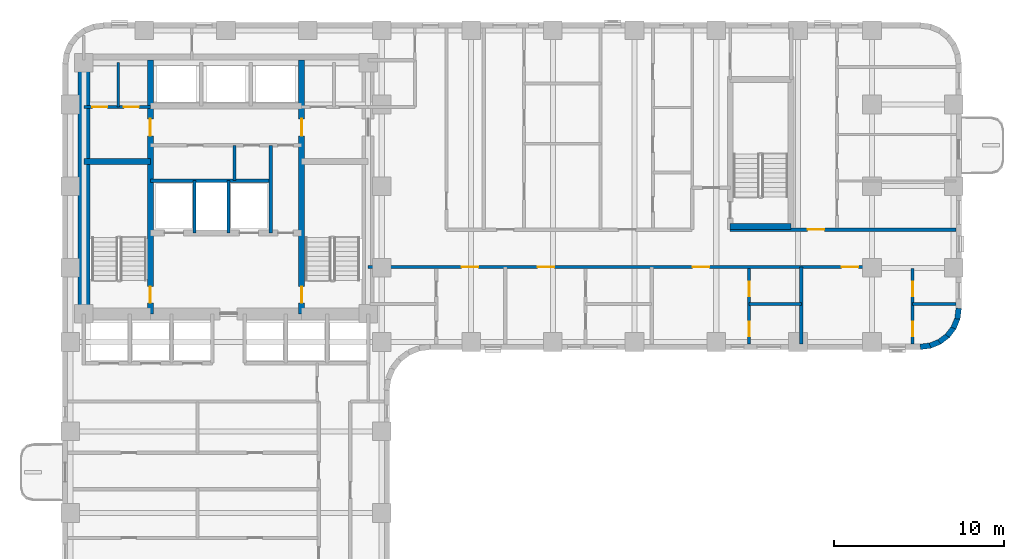
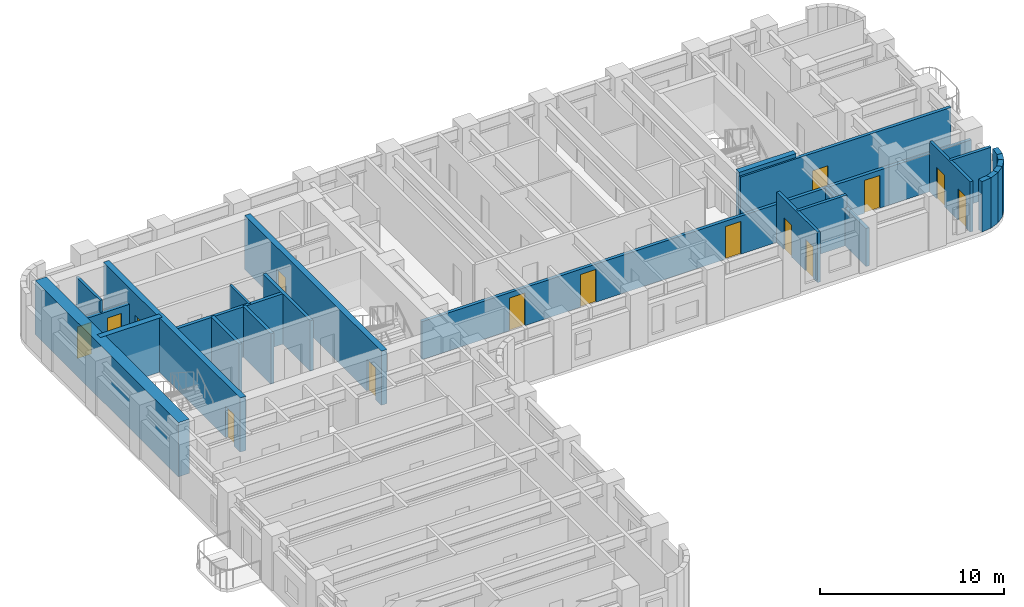
# One storey, part 5 of 11: 25 walls, 15 doors, 15 openings.
"""IFC4 building model written with IfcOpenShell, lengths in metres."""

import ifcopenshell
import ifcopenshell.guid

model = None  # the IFC model being written
_history = None  # IfcOwnerHistory: only IFC2X3 demands one
_inside = {}  # id of a spatial element -> (the spatial element, [elements in it])
_under = {}  # id of a project, library or spatial element -> (it, [spatial elements below it])
_declared = {}  # id of a project -> (the project, [libraries it declares])
_typed = {}  # id of a type object -> (the type object, [elements of that type])
_made_of = {}  # id of a material, layer set ... -> (it, [elements and type objects made of it])


def new_model(schema):
    """Start an empty IFC model of exactly this schema.

    Asked for "IFC4X3", IfcOpenShell would pick the latest addendum, in which some entities
    have other attributes; the version numbers below select the first issue.
    IFC2X3 requires an IfcOwnerHistory on every rooted entity: one is made here for all.
    """
    global model, _history
    if schema == "IFC4X3":
        model = ifcopenshell.file(schema_version=(4, 3, 0, 0))
    else:
        model = ifcopenshell.file(schema=schema)
    _inside.clear()
    _under.clear()
    _declared.clear()
    _typed.clear()
    _made_of.clear()
    _history = None
    if model.schema == "IFC2X3":
        org = make("IfcOrganization", Name="unknown")
        user = make(
            "IfcPersonAndOrganization",
            ThePerson=make("IfcPerson", FamilyName="unknown"),
            TheOrganization=org,
        )
        app = make(
            "IfcApplication",
            ApplicationDeveloper=org,
            Version="unknown",
            ApplicationFullName="unknown",
            ApplicationIdentifier="unknown",
        )
        _history = make(
            "IfcOwnerHistory",
            OwningUser=user,
            OwningApplication=app,
            ChangeAction="ADDED",
            CreationDate=0,
        )
    return model


def make(cls, **values):
    """One entity of the class cls with the attributes given. An attribute that is None is left unset."""
    return model.create_entity(
        cls, **{name: value for name, value in values.items() if value is not None}
    )


def rooted(cls, **values):
    """An entity with a GlobalId (a new one), such as an element, a storey or a relation."""
    return make(cls, GlobalId=ifcopenshell.guid.new(), OwnerHistory=_history, **values)


def si_unit(unit_type, name, prefix=None):
    """IfcSIUnit, for example si_unit("LENGTHUNIT", "METRE", prefix="MILLI")."""
    return make("IfcSIUnit", UnitType=unit_type, Prefix=prefix, Name=name)


def assignment(units):
    """IfcUnitAssignment: the units of a project."""
    return None if units is None else make("IfcUnitAssignment", Units=units)


def point(xyz):
    """IfcCartesianPoint."""
    return None if xyz is None else make("IfcCartesianPoint", Coordinates=xyz)


def direction(xyz):
    """IfcDirection."""
    return None if xyz is None else make("IfcDirection", DirectionRatios=xyz)


def frame(location, z_axis=None, x_axis=None):
    """IfcAxis2Placement3D, a coordinate frame: its origin and axes. An axis left out is left unset."""
    return make(
        "IfcAxis2Placement3D",
        Location=point(location),
        Axis=direction(z_axis),
        RefDirection=direction(x_axis),
    )


def frame_2d(location, x_axis=None):
    """IfcAxis2Placement2D, a coordinate frame in the plane: its origin and x axis."""
    return make(
        "IfcAxis2Placement2D", Location=point(location), RefDirection=direction(x_axis)
    )


def origin():
    """The frame at (0, 0, 0) with its axes left unset."""
    return frame((0.0, 0.0, 0.0))


def place(relative_to, where):
    """IfcLocalPlacement: puts the frame where relative to a parent placement (None: the world)."""
    return make(
        "IfcLocalPlacement", PlacementRelTo=relative_to, RelativePlacement=where
    )


def context(
    kind, dimensions, precision=None, world=None, true_north=None, identifier=None
):
    """IfcGeometricRepresentationContext, for example the 3D "Model" context."""
    return make(
        "IfcGeometricRepresentationContext",
        ContextIdentifier=identifier,
        ContextType=kind,
        CoordinateSpaceDimension=dimensions,
        Precision=precision,
        WorldCoordinateSystem=world,
        TrueNorth=true_north,
    )


def subcontext(parent, identifier, kind, view, scale=None):
    """IfcGeometricRepresentationSubContext, for example "Body" below "Model"."""
    return make(
        "IfcGeometricRepresentationSubContext",
        ContextIdentifier=identifier,
        ContextType=kind,
        ParentContext=parent,
        TargetScale=scale,
        TargetView=view,
    )


def project(units=None, contexts=None):
    """IfcProject with its units and contexts."""
    return rooted(
        "IfcProject",
        Name="project",
        RepresentationContexts=contexts,
        UnitsInContext=assignment(units),
    )


def spatial(cls, under=None, at=None, **own):
    """A site, building, storey or space (cls), placed at a placement, below another one or the project."""
    s = rooted(cls, ObjectPlacement=at, **own)
    if under is not None:
        _under.setdefault(under.id(), (under, []))[1].append(s)
    return s


def profile(cls, at=None, kind="AREA", **sizes):
    """A parametric profile (cls). Its sizes go by their IFC names, for example OverallWidth=200.0."""
    return make(cls, ProfileType=kind, Position=at, **sizes)


def rectangle(**sizes):
    """IfcRectangleProfileDef."""
    return profile("IfcRectangleProfileDef", **sizes)


def extrude(swept, where, along, depth):
    """IfcExtrudedAreaSolid: the profile swept, set in the frame where, extruded along a direction by depth."""
    return make(
        "IfcExtrudedAreaSolid",
        SweptArea=swept,
        Position=where,
        ExtrudedDirection=direction(along),
        Depth=depth,
    )


def shape(context_of_items, identifier, shape_type, items):
    """IfcShapeRepresentation: the items that make up one representation, for example the "Body"."""
    return make(
        "IfcShapeRepresentation",
        ContextOfItems=context_of_items,
        RepresentationIdentifier=identifier,
        RepresentationType=shape_type,
        Items=items,
    )


def material(Name=None, Category=None):
    """IfcMaterial."""
    return make("IfcMaterial", Name=Name, Category=Category)


def layer(
    of_material, thickness, ventilated=None, Name=None, Category=None, Priority=None
):
    """IfcMaterialLayer: one layer of a wall or slab, of a material (None: an air gap)."""
    return make(
        "IfcMaterialLayer",
        Material=of_material,
        LayerThickness=thickness,
        IsVentilated=ventilated,
        Name=Name,
        Category=Category,
        Priority=Priority,
    )


def layer_set(layers, Name=None):
    """IfcMaterialLayerSet."""
    return make("IfcMaterialLayerSet", MaterialLayers=layers, LayerSetName=Name)


def made_of(thing, what):
    """Note that an element or type object is made of a material, layer set ...; save() writes the relation."""
    if what is not None:
        _made_of.setdefault(what.id(), (what, []))[1].append(thing)
    return thing


def type_object(cls, material=None, **own):
    """A type object (cls), such as IfcWallType, which elements share."""
    return made_of(rooted(cls, **own), material)


def element(
    cls,
    number,
    at=None,
    inside=None,
    cuts=None,
    type_object=None,
    material=None,
    context=None,
    identifier="Body",
    shape_type=None,
    held_by="IfcProductDefinitionShape",
    body=None,
    shapes=None,
    **own,
):
    """One element of the class cls, such as IfcWall. Its Tag is "e" and its number.

    at: its placement. inside: the storey or other place that contains it. cuts: it is an
    opening in that element (IfcRelVoidsElement). A single representation is given by context,
    identifier, shape_type and body (its items); several are given by shapes. held_by: the class
    of the entity that holds the representations. save() writes the other relations.
    """
    e = rooted(cls, Tag="e%d" % number, ObjectPlacement=at, **own)
    if body is not None:
        shapes = [shape(context, identifier, shape_type, body)]
    if shapes is not None:
        e.Representation = make(held_by, Representations=shapes)
    if inside is not None:
        _inside.setdefault(inside.id(), (inside, []))[1].append(e)
    if cuts is not None:
        rooted(
            "IfcRelVoidsElement", RelatingBuildingElement=cuts, RelatedOpeningElement=e
        )
    if type_object is not None:
        _typed.setdefault(type_object.id(), (type_object, []))[1].append(e)
    return made_of(e, material)


def fill(opening, filler):
    """IfcRelFillsElement: the door or window that sits in an opening."""
    return rooted(
        "IfcRelFillsElement",
        RelatingOpeningElement=opening,
        RelatedBuildingElement=filler,
    )


def aggregate(whole, parts):
    """IfcRelAggregates: a whole, such as a stair, and the parts it consists of."""
    return rooted("IfcRelAggregates", RelatingObject=whole, RelatedObjects=parts)


def save(model, path):
    """Write the relations noted so far, then the file.

    IfcRelAggregates (storeys below a building ...), IfcRelContainedInSpatialStructure (elements
    in a storey), IfcRelDefinesByType, IfcRelAssociatesMaterial and IfcRelDeclares: one each for
    every whole, place, type object, material and project.
    """
    for whole, parts in _under.values():
        aggregate(whole, parts)
    for where, things in _inside.values():
        rooted(
            "IfcRelContainedInSpatialStructure",
            RelatedElements=things,
            RelatingStructure=where,
        )
    for kind, things in _typed.values():
        rooted("IfcRelDefinesByType", RelatedObjects=things, RelatingType=kind)
    for what, things in _made_of.values():
        rooted("IfcRelAssociatesMaterial", RelatedObjects=things, RelatingMaterial=what)
    for by, libraries in _declared.values():
        rooted("IfcRelDeclares", RelatingContext=by, RelatedDefinitions=libraries)
    model.write(path)


model = new_model("IFC4")

# Units and contexts
model_context = context("Model", 3, precision=1e-05, world=origin(), true_north=direction((0.0, 1.0)))
body_context = subcontext(model_context, "Body", "Model", "MODEL_VIEW")
ifc_project = project(units=[si_unit("LENGTHUNIT", "METRE"), si_unit("AREAUNIT", "SQUARE_METRE"), si_unit("VOLUMEUNIT", "CUBIC_METRE"), si_unit("PLANEANGLEUNIT", "RADIAN"), si_unit("MASSUNIT", "GRAM", prefix="KILO")], contexts=[model_context])

# Site, building, storey
site_placement = place(None, origin())
site = spatial("IfcSite", under=ifc_project, at=site_placement, CompositionType="ELEMENT")
building_placement = place(site_placement, origin())
building = spatial("IfcBuilding", under=site, at=building_placement, Name="Orvandelia Arch Residences", CompositionType="ELEMENT")
storey_placement = place(building_placement, frame((0.0, 0.0, 86.199951171875)))
storey = spatial("IfcBuildingStorey", under=building, at=storey_placement, Name="L22", CompositionType="ELEMENT", Elevation=86.199951171875)

# Wall, openings, doors
ifc_material_1 = material(Name="Concrete C50/60", Category="concrete")
ifc_layer_1 = layer(ifc_material_1, 0.35009765625, Name="Concrete C50/60", Category="concrete")
ifc_layer_set_1 = layer_set([ifc_layer_1], Name="Concrete C50/60")
wall_type_1 = type_object("IfcWallType", Name="WL-CORE-350", PredefinedType="SHEAR", material=ifc_layer_set_1)
wall_1_placement = place(storey_placement, frame((9.9599609375, 30.89990234375, 0.0), z_axis=(0.0, 0.0, 1.0), x_axis=(0.0, 1.0, 0.0)))
wall_1 = element("IfcWall", 1, at=wall_1_placement, inside=storey, type_object=wall_type_1, Name="Core Shear Wall L22-WEB1", PredefinedType="SHEAR", context=body_context, shape_type="SweptSolid", body=[
    extrude(rectangle(XDim=14.900146484375, YDim=0.35009765625, at=frame_2d((7.4501953125, 0.0))), origin(), (0.0, 0.0, 1.0), 3.60009765625),
])
opening_1_placement = place(wall_1_placement, frame((0.64990234375, 0.0, 0.0)))
opening_1 = element("IfcOpeningElement", 2, at=opening_1_placement, cuts=wall_1, Name="Opening D7", PredefinedType="OPENING", context=body_context, shape_type="SweptSolid", body=[
    extrude(rectangle(XDim=0.949951171875, YDim=2.10009765625, at=frame_2d((0.47509765625, 1.050048828125))), frame((0.0, 0.18505859375, 0.0), z_axis=(0.0, -1.0, 0.0), x_axis=(1.0, 0.0, 0.0)), (0.0, 0.0, 1.0), 0.3701171875),
])
opening_2_placement = place(wall_1_placement, frame((10.449951171875, 0.0, 0.0)))
opening_2 = element("IfcOpeningElement", 3, at=opening_2_placement, cuts=wall_1, Name="Opening D6", PredefinedType="OPENING", context=body_context, shape_type="SweptSolid", body=[
    extrude(rectangle(XDim=1.0, YDim=2.14990234375, at=frame_2d((0.5, 1.074951171875))), frame((0.0, 0.18505859375, 0.0), z_axis=(0.0, -1.0, 0.0), x_axis=(1.0, 0.0, 0.0)), (0.0, 0.0, 1.0), 0.3701171875),
])
ifc_material_2 = material(Name="Smokeproof Painted Steel Fire Door", Category="steel")
door_type_1 = type_object("IfcDoorType", Name="DR-FD60-1000", OperationType="NOTDEFINED", PredefinedType="DOOR", material=ifc_material_2)
door_1_placement = place(opening_2_placement, origin())
door_1 = element("IfcDoor", 4, at=door_1_placement, inside=storey, type_object=door_type_1, Name="High-Rise Lift Hall West Vestibule Door L22", OperationType="SINGLE_SWING_LEFT", OverallHeight=2.14990234375, OverallWidth=1.0, PredefinedType="DOOR", context=body_context, shape_type="SweptSolid", body=[
    extrude(rectangle(XDim=1.0, YDim=2.14990234375, at=frame_2d((0.5, 1.074951171875))), frame((0.0, 0.02490234375, 0.0), z_axis=(0.0, -1.0, 0.0), x_axis=(1.0, 0.0, 0.0)), (0.0, 0.0, 1.0), 0.050048828125),
])
fill(opening_2, door_1)
ifc_material_3 = material(Name="Pressurised Stairwell Fire Door")
door_type_2 = type_object("IfcDoorType", Name="DR-STAIR-950", OperationType="NOTDEFINED", PredefinedType="DOOR", material=ifc_material_3)
door_2_placement = place(opening_1_placement, origin())
door_2 = element("IfcDoor", 5, at=door_2_placement, inside=storey, type_object=door_type_2, Name="Stairwell ST-1 Fire Door L22", OperationType="SINGLE_SWING_LEFT", OverallHeight=2.10009765625, OverallWidth=0.949951171875, PredefinedType="DOOR", context=body_context, shape_type="SweptSolid", body=[
    extrude(rectangle(XDim=0.949951171875, YDim=2.10009765625, at=frame_2d((0.47509765625, 1.050048828125))), frame((0.0, 0.02490234375, 0.0), z_axis=(0.0, -1.0, 0.0), x_axis=(1.0, 0.0, 0.0)), (0.0, 0.0, 1.0), 0.050048828125),
])
fill(opening_1, door_2)

wall_2_placement = place(storey_placement, frame((18.840087890625, 30.89990234375, 0.0), z_axis=(0.0, 0.0, 1.0), x_axis=(0.0, 1.0, 0.0)))
wall_2 = element("IfcWall", 6, at=wall_2_placement, inside=storey, type_object=wall_type_1, Name="Core Shear Wall L22-WEB2", PredefinedType="SHEAR", context=body_context, shape_type="SweptSolid", body=[
    extrude(rectangle(XDim=14.900146484375, YDim=0.35009765625, at=frame_2d((7.4501953125, 0.0))), origin(), (0.0, 0.0, 1.0), 3.60009765625),
])
opening_3_placement = place(wall_2_placement, frame((0.64990234375, 0.0, 0.0)))
opening_3 = element("IfcOpeningElement", 7, at=opening_3_placement, cuts=wall_2, Name="Opening D7", PredefinedType="OPENING", context=body_context, shape_type="SweptSolid", body=[
    extrude(rectangle(XDim=0.949951171875, YDim=2.10009765625, at=frame_2d((0.47509765625, 1.050048828125))), frame((0.0, 0.18505859375, 0.0), z_axis=(0.0, -1.0, 0.0), x_axis=(1.0, 0.0, 0.0)), (0.0, 0.0, 1.0), 0.3701171875),
])
opening_4_placement = place(wall_2_placement, frame((10.449951171875, 0.0, 0.0)))
opening_4 = element("IfcOpeningElement", 8, at=opening_4_placement, cuts=wall_2, Name="Opening D6", PredefinedType="OPENING", context=body_context, shape_type="SweptSolid", body=[
    extrude(rectangle(XDim=1.0, YDim=2.14990234375, at=frame_2d((0.5, 1.074951171875))), frame((0.0, 0.18505859375, 0.0), z_axis=(0.0, -1.0, 0.0), x_axis=(1.0, 0.0, 0.0)), (0.0, 0.0, 1.0), 0.3701171875),
])
door_3_placement = place(opening_4_placement, origin())
door_3 = element("IfcDoor", 9, at=door_3_placement, inside=storey, type_object=door_type_1, Name="High-Rise Lift Hall East Vestibule Door L22", OperationType="SINGLE_SWING_RIGHT", OverallHeight=2.14990234375, OverallWidth=1.0, PredefinedType="DOOR", context=body_context, shape_type="SweptSolid", body=[
    extrude(rectangle(XDim=1.0, YDim=2.14990234375, at=frame_2d((0.5, 1.074951171875))), frame((0.0, 0.02490234375, 0.0), z_axis=(0.0, -1.0, 0.0), x_axis=(1.0, 0.0, 0.0)), (0.0, 0.0, 1.0), 0.050048828125),
])
fill(opening_4, door_3)
door_4_placement = place(opening_3_placement, origin())
door_4 = element("IfcDoor", 10, at=door_4_placement, inside=storey, type_object=door_type_2, Name="Stairwell ST-2 Fire Door L22", OperationType="SINGLE_SWING_RIGHT", OverallHeight=2.10009765625, OverallWidth=0.949951171875, PredefinedType="DOOR", context=body_context, shape_type="SweptSolid", body=[
    extrude(rectangle(XDim=0.949951171875, YDim=2.10009765625, at=frame_2d((0.47509765625, 1.050048828125))), frame((0.0, 0.02490234375, 0.0), z_axis=(0.0, -1.0, 0.0), x_axis=(1.0, 0.0, 0.0)), (0.0, 0.0, 1.0), 0.050048828125),
])
fill(opening_3, door_4)

# Walls
wall_3_placement = place(storey_placement, frame((6.050048828125, 39.85009765625, 0.0), z_axis=(0.0, 0.0, 1.0), x_axis=(1.0, 0.0, 0.0)))
element("IfcWall", 11, at=wall_3_placement, inside=storey, type_object=wall_type_1, Name="Core Shear Wall L22-HZ1", PredefinedType="SHEAR", context=body_context, shape_type="SweptSolid", body=[
    extrude(rectangle(XDim=3.909912109375, YDim=0.35009765625, at=frame_2d((1.955078125, 0.0))), origin(), (0.0, 0.0, 1.0), 3.60009765625),
])
wall_4_placement = place(storey_placement, frame((44.02001953125, 36.0400390625, 0.0), z_axis=(0.0, 0.0, 1.0), x_axis=(1.0, 0.0, 0.0)))
element("IfcWall", 12, at=wall_4_placement, inside=storey, type_object=wall_type_1, Name="East Stair Core Shear Wall L22-S", PredefinedType="SHEAR", context=body_context, shape_type="SweptSolid", body=[
    extrude(rectangle(XDim=3.580078125, YDim=0.35009765625, at=frame_2d((1.7900390625, 0.0))), origin(), (0.0, 0.0, 1.0), 3.60009765625),
])
ifc_material_4 = material(Name="Concrete C80/95", Category="concrete")
ifc_layer_2 = layer(ifc_material_4, 0.699951171875, Name="Concrete C80/95", Category="concrete")
ifc_layer_set_2 = layer_set([ifc_layer_2], Name="Concrete C80/95")
wall_type_2 = type_object("IfcWallType", Name="WL-CORE-700", PredefinedType="SHEAR", material=ifc_layer_set_2)
wall_5_placement = place(storey_placement, frame((6.050048828125, 30.550048828125, 0.0), z_axis=(0.0, 0.0, 1.0), x_axis=(0.0, 1.0, 0.0)))
element("IfcWall", 13, at=wall_5_placement, inside=storey, type_object=wall_type_2, Name="Core Shear Wall L22-W", PredefinedType="SHEAR", context=body_context, shape_type="SweptSolid", body=[
    extrude(rectangle(XDim=15.599853515625, YDim=0.699951171875, at=frame_2d((7.7998046875, 0.0))), origin(), (0.0, 0.0, 1.0), 3.60009765625),
])

# Wall, openings, doors
ifc_material_5 = material(Name="Fire-Rated Corridor Partition")
ifc_layer_3 = layer(ifc_material_5, 0.199951171875, Name="Fire-Rated Corridor Partition")
ifc_layer_set_3 = layer_set([ifc_layer_3], Name="Fire-Rated Corridor Partition")
wall_type_3 = type_object("IfcWallType", Name="WL-CORR-200", PredefinedType="PARTITIONING", material=ifc_layer_set_3)
wall_6_placement = place(storey_placement, frame((22.75, 33.64990234375, 0.0), z_axis=(0.0, 0.0, 1.0), x_axis=(1.0, 0.0, 0.0)))
wall_6 = element("IfcWall", 14, at=wall_6_placement, inside=storey, type_object=wall_type_3, Name="Interior Partition Wall WL-L22-ES-S", PredefinedType="PARTITIONING", context=body_context, shape_type="SweptSolid", body=[
    extrude(rectangle(XDim=34.530029296875, YDim=0.199951171875, at=frame_2d((17.26513671875, 0.0))), origin(), (0.0, 0.0, 1.0), 2.530029296875),
])
opening_5_placement = place(wall_6_placement, frame((5.4951171875, 0.0, 0.0)))
opening_5 = element("IfcOpeningElement", 15, at=opening_5_placement, cuts=wall_6, Name="Opening D1", PredefinedType="OPENING", context=body_context, shape_type="SweptSolid", body=[
    extrude(rectangle(XDim=0.97998046875, YDim=2.179931640625, at=frame_2d((0.489990234375, 1.08984375))), frame((0.0, 0.10986328125, 0.0), z_axis=(0.0, -1.0, 0.0), x_axis=(1.0, 0.0, 0.0)), (0.0, 0.0, 1.0), 0.219970703125),
])
opening_6_placement = place(wall_6_placement, frame((9.9609375, 0.0, 0.0)))
opening_6 = element("IfcOpeningElement", 16, at=opening_6_placement, cuts=wall_6, Name="Opening D1", PredefinedType="OPENING", context=body_context, shape_type="SweptSolid", body=[
    extrude(rectangle(XDim=0.97998046875, YDim=2.179931640625, at=frame_2d((0.489990234375, 1.08984375))), frame((0.0, 0.10986328125, 0.0), z_axis=(0.0, -1.0, 0.0), x_axis=(1.0, 0.0, 0.0)), (0.0, 0.0, 1.0), 0.219970703125),
])
opening_7_placement = place(wall_6_placement, frame((19.06591796875, 0.0, 0.0)))
opening_7 = element("IfcOpeningElement", 17, at=opening_7_placement, cuts=wall_6, Name="Opening D1", PredefinedType="OPENING", context=body_context, shape_type="SweptSolid", body=[
    extrude(rectangle(XDim=0.97998046875, YDim=2.179931640625, at=frame_2d((0.489990234375, 1.08984375))), frame((0.0, 0.10986328125, 0.0), z_axis=(0.0, -1.0, 0.0), x_axis=(1.0, 0.0, 0.0)), (0.0, 0.0, 1.0), 0.219970703125),
])
opening_8_placement = place(wall_6_placement, frame((27.81494140625, 0.0, 0.0)))
opening_8 = element("IfcOpeningElement", 18, at=opening_8_placement, cuts=wall_6, Name="Opening D1", PredefinedType="OPENING", context=body_context, shape_type="SweptSolid", body=[
    extrude(rectangle(XDim=0.97998046875, YDim=2.179931640625, at=frame_2d((0.489990234375, 1.08984375))), frame((0.0, 0.10986328125, 0.0), z_axis=(0.0, -1.0, 0.0), x_axis=(1.0, 0.0, 0.0)), (0.0, 0.0, 1.0), 0.219970703125),
])
ifc_material_6 = material(Name="Solid-Core Timber Acoustic Fire Door", Category="wood")
door_type_3 = type_object("IfcDoorType", Name="DR-ENT-980", OperationType="NOTDEFINED", PredefinedType="DOOR", material=ifc_material_6)
door_5_placement = place(opening_5_placement, origin())
door_5 = element("IfcDoor", 19, at=door_5_placement, inside=storey, type_object=door_type_3, Name="Unit L22-05 Entrance Door", OperationType="SINGLE_SWING_LEFT", OverallHeight=2.179931640625, OverallWidth=0.97998046875, PredefinedType="DOOR", context=body_context, shape_type="SweptSolid", body=[
    extrude(rectangle(XDim=0.97998046875, YDim=2.179931640625, at=frame_2d((0.489990234375, 1.08984375))), frame((0.0, 0.02490234375, 0.0), z_axis=(0.0, -1.0, 0.0), x_axis=(1.0, 0.0, 0.0)), (0.0, 0.0, 1.0), 0.050048828125),
])
fill(opening_5, door_5)
door_6_placement = place(opening_6_placement, origin())
door_6 = element("IfcDoor", 20, at=door_6_placement, inside=storey, type_object=door_type_3, Name="Unit L22-06 Entrance Door", OperationType="SINGLE_SWING_RIGHT", OverallHeight=2.179931640625, OverallWidth=0.97998046875, PredefinedType="DOOR", context=body_context, shape_type="SweptSolid", body=[
    extrude(rectangle(XDim=0.97998046875, YDim=2.179931640625, at=frame_2d((0.489990234375, 1.08984375))), frame((0.0, 0.02490234375, 0.0), z_axis=(0.0, -1.0, 0.0), x_axis=(1.0, 0.0, 0.0)), (0.0, 0.0, 1.0), 0.050048828125),
])
fill(opening_6, door_6)
door_7_placement = place(opening_7_placement, origin())
door_7 = element("IfcDoor", 21, at=door_7_placement, inside=storey, type_object=door_type_3, Name="Unit L22-07 Entrance Door", OperationType="SINGLE_SWING_LEFT", OverallHeight=2.179931640625, OverallWidth=0.97998046875, PredefinedType="DOOR", context=body_context, shape_type="SweptSolid", body=[
    extrude(rectangle(XDim=0.97998046875, YDim=2.179931640625, at=frame_2d((0.489990234375, 1.08984375))), frame((0.0, 0.02490234375, 0.0), z_axis=(0.0, -1.0, 0.0), x_axis=(1.0, 0.0, 0.0)), (0.0, 0.0, 1.0), 0.050048828125),
])
fill(opening_7, door_7)
door_8_placement = place(opening_8_placement, origin())
door_8 = element("IfcDoor", 22, at=door_8_placement, inside=storey, type_object=door_type_3, Name="Unit L22-08 Entrance Door", OperationType="SINGLE_SWING_RIGHT", OverallHeight=2.179931640625, OverallWidth=0.97998046875, PredefinedType="DOOR", context=body_context, shape_type="SweptSolid", body=[
    extrude(rectangle(XDim=0.97998046875, YDim=2.179931640625, at=frame_2d((0.489990234375, 1.08984375))), frame((0.0, 0.02490234375, 0.0), z_axis=(0.0, -1.0, 0.0), x_axis=(1.0, 0.0, 0.0)), (0.0, 0.0, 1.0), 0.050048828125),
])
fill(opening_8, door_8)

# Wall, opening, door
wall_7_placement = place(storey_placement, frame((44.02001953125, 35.85009765625, 0.0), z_axis=(0.0, 0.0, 1.0), x_axis=(1.0, 0.0, 0.0)))
wall_7 = element("IfcWall", 23, at=wall_7_placement, inside=storey, type_object=wall_type_3, Name="Interior Partition Wall WL-L22-ES-N2", PredefinedType="PARTITIONING", context=body_context, shape_type="SweptSolid", body=[
    extrude(rectangle(XDim=13.260009765625, YDim=0.199951171875, at=frame_2d((6.6298828125, 0.0))), origin(), (0.0, 0.0, 1.0), 3.35009765625),
])
opening_9_placement = place(wall_7_placement, frame((4.548583984375, 0.0, 0.0)))
opening_9 = element("IfcOpeningElement", 24, at=opening_9_placement, cuts=wall_7, Name="Opening D1", PredefinedType="OPENING", context=body_context, shape_type="SweptSolid", body=[
    extrude(rectangle(XDim=0.97998046875, YDim=2.179931640625, at=frame_2d((0.489990234375, 1.08984375))), frame((0.0, 0.10986328125, 0.0), z_axis=(0.0, -1.0, 0.0), x_axis=(1.0, 0.0, 0.0)), (0.0, 0.0, 1.0), 0.219970703125),
])
door_9_placement = place(opening_9_placement, origin())
door_9 = element("IfcDoor", 25, at=door_9_placement, inside=storey, type_object=door_type_3, Name="Unit L22-11 Entrance Door", OperationType="SINGLE_SWING_LEFT", OverallHeight=2.179931640625, OverallWidth=0.97998046875, PredefinedType="DOOR", context=body_context, shape_type="SweptSolid", body=[
    extrude(rectangle(XDim=0.97998046875, YDim=2.179931640625, at=frame_2d((0.489990234375, 1.08984375))), frame((0.0, 0.02490234375, 0.0), z_axis=(0.0, -1.0, 0.0), x_axis=(1.0, 0.0, 0.0)), (0.0, 0.0, 1.0), 0.050048828125),
])
fill(opening_9, door_9)

# Walls
ifc_material_7 = material(Name="Concrete C40/50", Category="concrete")
ifc_layer_4 = layer(ifc_material_7, 0.199951171875, Name="Concrete C40/50", Category="concrete")
ifc_layer_set_4 = layer_set([ifc_layer_4], Name="Concrete C40/50")
wall_type_4 = type_object("IfcWallType", Name="WL-DEM-200", PredefinedType="SOLIDWALL", material=ifc_layer_set_4)
wall_8_placement = place(storey_placement, frame((48.199951171875, 29.1201171875, 0.0), z_axis=(0.0, 0.0, 1.0), x_axis=(0.0, 1.0, 0.0)))
element("IfcWall", 26, at=wall_8_placement, inside=storey, type_object=wall_type_4, Name="Interior Partition Wall WL-L22-DEM-ESS-482", PredefinedType="SOLIDWALL", context=body_context, shape_type="SweptSolid", body=[
    extrude(rectangle(XDim=4.52978515625, YDim=0.199951171875, at=frame_2d((2.264892578125, 0.0))), origin(), (0.0, 0.0, 1.0), 2.530029296875),
])
ifc_material_8 = material(Name="Precast concrete C40/50", Category="concrete")
ifc_layer_5 = layer(ifc_material_8, 0.320068359375, Name="Precast concrete C40/50", Category="concrete")
ifc_layer_set_5 = layer_set([ifc_layer_5], Name="Precast concrete C40/50")
wall_type_5 = type_object("IfcWallType", Name="WL-EXT-STONE-320", PredefinedType="STANDARD", material=ifc_layer_set_5)
wall_9_placement = place(storey_placement, frame((57.44140625, 31.220947265625, 0.0), z_axis=(0.0, 0.0, 1.0), x_axis=(-0.130504898859, -0.991447664465, 0.0)))
element("IfcWall", 27, at=wall_9_placement, inside=storey, type_object=wall_type_5, Name="Coral-Limestone Precast Facade Wall L22-015", PredefinedType="STANDARD", context=body_context, shape_type="SweptSolid", body=[
    extrude(rectangle(XDim=0.626708984375, YDim=0.320068359375, at=frame_2d((0.3134765625, 0.0))), origin(), (0.0, 0.0, 1.0), 3.35009765625),
])
wall_10_placement = place(storey_placement, frame((57.370361328125, 30.639892578125, 0.0), z_axis=(0.0, 0.0, 1.0), x_axis=(-0.382787856107, -0.923836271867, 0.0)))
element("IfcWall", 28, at=wall_10_placement, inside=storey, type_object=wall_type_5, Name="Coral-Limestone Precast Facade Wall L22-016", PredefinedType="STANDARD", context=body_context, shape_type="SweptSolid", body=[
    extrude(rectangle(XDim=0.626220703125, YDim=0.320068359375, at=frame_2d((0.31298828125, 0.0))), origin(), (0.0, 0.0, 1.0), 3.35009765625),
])
wall_11_placement = place(storey_placement, frame((57.151611328125, 30.097412109375, 0.0), z_axis=(0.0, 0.0, 1.0), x_axis=(-0.608693302629, -0.793405610854, 0.0)))
element("IfcWall", 29, at=wall_11_placement, inside=storey, type_object=wall_type_5, Name="Coral-Limestone Precast Facade Wall L22-017", PredefinedType="STANDARD", context=body_context, shape_type="SweptSolid", body=[
    extrude(rectangle(XDim=0.62646484375, YDim=0.320068359375, at=frame_2d((0.313232421875, 0.0))), origin(), (0.0, 0.0, 1.0), 3.35009765625),
])
wall_12_placement = place(storey_placement, frame((56.7998046875, 29.6298828125, 0.0), z_axis=(0.0, 0.0, 1.0), x_axis=(-0.793361818833, -0.608750379399, 0.0)))
element("IfcWall", 30, at=wall_12_placement, inside=storey, type_object=wall_type_5, Name="Coral-Limestone Precast Facade Wall L22-018", PredefinedType="STANDARD", context=body_context, shape_type="SweptSolid", body=[
    extrude(rectangle(XDim=0.626953125, YDim=0.320068359375, at=frame_2d((0.3134765625, 0.0))), origin(), (0.0, 0.0, 1.0), 3.35009765625),
])
for number, where, z_axis, x_axis, name in (
    (31, (56.3388671875, 29.269287109375, 0.0), (0.0, 0.0, 1.0), (-0.92389335771, -0.382650053678, 0.0), "Coral-Limestone Precast Facade Wall L22-019"),
    (32, (55.80029296875, 29.040283203125, 0.0), (0.0, 0.0, 1.0), (-0.9914410257, -0.130555323746, 0.0), "Coral-Limestone Precast Facade Wall L22-020"),
):
    element("IfcWall", number, at=place(storey_placement, frame(where, z_axis=z_axis, x_axis=x_axis)), inside=storey, type_object=wall_type_5, Name=name, PredefinedType="STANDARD", context=body_context, shape_type="SweptSolid", body=[
        extrude(rectangle(XDim=0.62646484375, YDim=0.320068359375, at=frame_2d((0.313232421875, 0.0))), origin(), (0.0, 0.0, 1.0), 3.35009765625),
    ])
ifc_material_9 = material(Name="Acoustic Gypsum Stud Partition")
ifc_layer_6 = layer(ifc_material_9, 0.14990234375, Name="Acoustic Gypsum Stud Partition")
ifc_layer_set_6 = layer_set([ifc_layer_6], Name="Acoustic Gypsum Stud Partition")
wall_type_6 = type_object("IfcWallType", Name="WL-PART-150", PredefinedType="PARTITIONING", material=ifc_layer_set_6)
wall_13_placement = place(storey_placement, frame((8.06005859375, 43.050048828125, 0.0), z_axis=(0.0, 0.0, 1.0), x_axis=(0.0, 1.0, 0.0)))
element("IfcWall", 33, at=wall_13_placement, inside=storey, type_object=wall_type_6, Name="Interior Partition Wall WL-L22-CRELC-M", PredefinedType="PARTITIONING", context=body_context, shape_type="SweptSolid", body=[
    extrude(rectangle(XDim=2.599853515625, YDim=0.14990234375, at=frame_2d((1.2998046875, 0.0))), origin(), (0.0, 0.0, 1.0), 3.35009765625),
])
wall_14_placement = place(storey_placement, frame((14.89990234375, 38.719970703125, 0.0), z_axis=(0.0, 0.0, 1.0), x_axis=(0.0, 1.0, 0.0)))
element("IfcWall", 34, at=wall_14_placement, inside=storey, type_object=wall_type_6, Name="Interior Partition Wall WL-L22-CSA-1", PredefinedType="PARTITIONING", context=body_context, shape_type="SweptSolid", body=[
    extrude(rectangle(XDim=2.080078125, YDim=0.14990234375, at=frame_2d((1.0400390625, 0.0))), origin(), (0.0, 0.0, 1.0), 3.35009765625),
])
ifc_material_10 = material(Name="Fire-Rated Shaft Enclosure Wall")
ifc_layer_7 = layer(ifc_material_10, 0.199951171875, Name="Fire-Rated Shaft Enclosure Wall")
ifc_layer_set_7 = layer_set([ifc_layer_7], Name="Fire-Rated Shaft Enclosure Wall")
wall_type_7 = type_object("IfcWallType", Name="WL-SHAFT-200", PredefinedType="POLYGONAL", material=ifc_layer_set_7)
wall_15_placement = place(storey_placement, frame((9.9599609375, 38.719970703125, 0.0), z_axis=(0.0, 0.0, 1.0), x_axis=(1.0, 0.0, 0.0)))
element("IfcWall", 35, at=wall_15_placement, inside=storey, type_object=wall_type_7, Name="Interior Partition Wall WL-L22-FLN", PredefinedType="POLYGONAL", context=body_context, shape_type="SweptSolid", body=[
    extrude(rectangle(XDim=7.06005859375, YDim=0.199951171875, at=frame_2d((3.530029296875, 0.0))), origin(), (0.0, 0.0, 1.0), 3.35009765625),
])
for number, where, z_axis, x_axis, name in (
    (36, (12.550048828125, 35.64990234375, 0.0), (0.0, 0.0, 1.0), (0.0, 1.0, 0.0), "Interior Partition Wall WL-L22-FLM1"),
    (37, (14.550048828125, 35.64990234375, 0.0), (0.0, 0.0, 1.0), (0.0, 1.0, 0.0), "Interior Partition Wall WL-L22-FLM2"),
):
    element("IfcWall", number, at=place(storey_placement, frame(where, z_axis=z_axis, x_axis=x_axis)), inside=storey, type_object=wall_type_7, Name=name, PredefinedType="POLYGONAL", context=body_context, shape_type="SweptSolid", body=[
        extrude(rectangle(XDim=3.070068359375, YDim=0.199951171875, at=frame_2d((1.53515625, 0.0))), origin(), (0.0, 0.0, 1.0), 3.35009765625),
    ])
wall_16_placement = place(storey_placement, frame((17.02001953125, 35.64990234375, 0.0), z_axis=(0.0, 0.0, 1.0), x_axis=(0.0, 1.0, 0.0)))
element("IfcWall", 38, at=wall_16_placement, inside=storey, type_object=wall_type_7, Name="Interior Partition Wall WL-L22-FLM3", PredefinedType="POLYGONAL", context=body_context, shape_type="SweptSolid", body=[
    extrude(rectangle(XDim=5.150146484375, YDim=0.199951171875, at=frame_2d((2.5751953125, 0.0))), origin(), (0.0, 0.0, 1.0), 3.35009765625),
])

# Wall, openings, doors
wall_17_placement = place(storey_placement, frame((6.050048828125, 43.050048828125, 0.0), z_axis=(0.0, 0.0, 1.0), x_axis=(1.0, 0.0, 0.0)))
wall_17 = element("IfcWall", 39, at=wall_17_placement, inside=storey, type_object=wall_type_7, Name="Interior Partition Wall WL-L22-HLW-N", PredefinedType="POLYGONAL", context=body_context, shape_type="SweptSolid", body=[
    extrude(rectangle(XDim=3.909912109375, YDim=0.199951171875, at=frame_2d((1.955078125, 0.0))), origin(), (0.0, 0.0, 1.0), 2.530029296875),
])
opening_10_placement = place(wall_17_placement, frame((0.5, 0.0, 0.0)))
opening_10 = element("IfcOpeningElement", 40, at=opening_10_placement, cuts=wall_17, Name="Opening D5", PredefinedType="OPENING", context=body_context, shape_type="SweptSolid", body=[
    extrude(rectangle(XDim=0.8798828125, YDim=2.10009765625, at=frame_2d((0.43994140625, 1.050048828125))), frame((0.0, 0.10986328125, 0.0), z_axis=(0.0, -1.0, 0.0), x_axis=(1.0, 0.0, 0.0)), (0.0, 0.0, 1.0), 0.219970703125),
])
opening_11_placement = place(wall_17_placement, frame((2.35009765625, 0.0, 0.0)))
opening_11 = element("IfcOpeningElement", 41, at=opening_11_placement, cuts=wall_17, Name="Opening D5", PredefinedType="OPENING", context=body_context, shape_type="SweptSolid", body=[
    extrude(rectangle(XDim=0.8798828125, YDim=2.10009765625, at=frame_2d((0.43994140625, 1.050048828125))), frame((0.0, 0.10986328125, 0.0), z_axis=(0.0, -1.0, 0.0), x_axis=(1.0, 0.0, 0.0)), (0.0, 0.0, 1.0), 0.219970703125),
])
ifc_material_11 = material(Name="Painted Galvanised Steel Service Door", Category="steel")
door_type_4 = type_object("IfcDoorType", Name="DR-SRV-880", OperationType="NOTDEFINED", PredefinedType="DOOR", material=ifc_material_11)
door_10_placement = place(opening_10_placement, origin())
door_10 = element("IfcDoor", 42, at=door_10_placement, inside=storey, type_object=door_type_4, Name="DR-L22-CRELC1", OperationType="SINGLE_SWING_LEFT", OverallHeight=2.10009765625, OverallWidth=0.8798828125, PredefinedType="DOOR", context=body_context, shape_type="SweptSolid", body=[
    extrude(rectangle(XDim=0.8798828125, YDim=2.10009765625, at=frame_2d((0.43994140625, 1.050048828125))), frame((0.0, 0.02490234375, 0.0), z_axis=(0.0, -1.0, 0.0), x_axis=(1.0, 0.0, 0.0)), (0.0, 0.0, 1.0), 0.050048828125),
])
fill(opening_10, door_10)
door_11_placement = place(opening_11_placement, origin())
door_11 = element("IfcDoor", 43, at=door_11_placement, inside=storey, type_object=door_type_4, Name="DR-L22-CRELC2", OperationType="SINGLE_SWING_RIGHT", OverallHeight=2.10009765625, OverallWidth=0.8798828125, PredefinedType="DOOR", context=body_context, shape_type="SweptSolid", body=[
    extrude(rectangle(XDim=0.8798828125, YDim=2.10009765625, at=frame_2d((0.43994140625, 1.050048828125))), frame((0.0, 0.02490234375, 0.0), z_axis=(0.0, -1.0, 0.0), x_axis=(1.0, 0.0, 0.0)), (0.0, 0.0, 1.0), 0.050048828125),
])
fill(opening_11, door_11)

ifc_material_12 = material(Name="Moisture-Resistant Plumbing Wall")
ifc_layer_8 = layer(ifc_material_12, 0.179931640625, Name="Moisture-Resistant Plumbing Wall")
ifc_layer_set_8 = layer_set([ifc_layer_8], Name="Moisture-Resistant Plumbing Wall")
wall_type_8 = type_object("IfcWallType", Name="WL-WET-180", PredefinedType="PLUMBINGWALL", material=ifc_layer_set_8)
wall_18_placement = place(storey_placement, frame((45.132080078125, 29.1201171875, 0.0), z_axis=(0.0, 0.0, 1.0), x_axis=(0.0, 1.0, 0.0)))
wall_18 = element("IfcWall", 44, at=wall_18_placement, inside=storey, type_object=wall_type_8, Name="Interior Partition Wall WL-L22-U07-VT", PredefinedType="PLUMBINGWALL", context=body_context, shape_type="SweptSolid", body=[
    extrude(rectangle(XDim=4.429931640625, YDim=0.179931640625, at=frame_2d((2.21484375, 0.0))), origin(), (0.0, 0.0, 1.0), 3.35009765625),
])
opening_12_placement = place(wall_18_placement, frame((0.458740234375, 0.0, 0.0)))
opening_12 = element("IfcOpeningElement", 45, at=opening_12_placement, cuts=wall_18, Name="Opening D4", PredefinedType="OPENING", context=body_context, shape_type="SweptSolid", body=[
    extrude(rectangle(XDim=0.860107421875, YDim=2.10009765625, at=frame_2d((0.43017578125, 1.050048828125))), frame((0.0, 0.10009765625, 0.0), z_axis=(0.0, -1.0, 0.0), x_axis=(1.0, 0.0, 0.0)), (0.0, 0.0, 1.0), 0.199951171875),
])
opening_13_placement = place(wall_18_placement, frame((2.79931640625, 0.0, 0.0)))
opening_13 = element("IfcOpeningElement", 46, at=opening_13_placement, cuts=wall_18, Name="Opening D4", PredefinedType="OPENING", context=body_context, shape_type="SweptSolid", body=[
    extrude(rectangle(XDim=0.860107421875, YDim=2.10009765625, at=frame_2d((0.43017578125, 1.050048828125))), frame((0.0, 0.10009765625, 0.0), z_axis=(0.0, -1.0, 0.0), x_axis=(1.0, 0.0, 0.0)), (0.0, 0.0, 1.0), 0.199951171875),
])
ifc_material_13 = material(Name="Moisture-Sealed Timber Bathroom Door", Category="wood")
door_type_5 = type_object("IfcDoorType", Name="DR-WET-900", OperationType="NOTDEFINED", PredefinedType="DOOR", material=ifc_material_13)
door_12_placement = place(opening_12_placement, origin())
door_12 = element("IfcDoor", 47, at=door_12_placement, inside=storey, type_object=door_type_5, Name="DR-L22-U07-KIT", OperationType="SINGLE_SWING_LEFT", OverallHeight=2.10009765625, OverallWidth=0.860107421875, PredefinedType="DOOR", context=body_context, shape_type="SweptSolid", body=[
    extrude(rectangle(XDim=0.860107421875, YDim=2.10009765625, at=frame_2d((0.43017578125, 1.050048828125))), frame((0.0, 0.02490234375, 0.0), z_axis=(0.0, -1.0, 0.0), x_axis=(1.0, 0.0, 0.0)), (0.0, 0.0, 1.0), 0.050048828125),
])
fill(opening_12, door_12)
door_13_placement = place(opening_13_placement, origin())
door_13 = element("IfcDoor", 48, at=door_13_placement, inside=storey, type_object=door_type_5, Name="DR-L22-U07-BTH", OperationType="SINGLE_SWING_RIGHT", OverallHeight=2.10009765625, OverallWidth=0.860107421875, PredefinedType="DOOR", context=body_context, shape_type="SweptSolid", body=[
    extrude(rectangle(XDim=0.860107421875, YDim=2.10009765625, at=frame_2d((0.43017578125, 1.050048828125))), frame((0.0, 0.02490234375, 0.0), z_axis=(0.0, -1.0, 0.0), x_axis=(1.0, 0.0, 0.0)), (0.0, 0.0, 1.0), 0.050048828125),
])
fill(opening_13, door_13)

# Wall
wall_19_placement = place(storey_placement, frame((45.132080078125, 31.485107421875, 0.0), z_axis=(0.0, 0.0, 1.0), x_axis=(1.0, 0.0, 0.0)))
element("IfcWall", 49, at=wall_19_placement, inside=storey, type_object=wall_type_8, Name="Interior Partition Wall WL-L22-U07-H1", PredefinedType="PLUMBINGWALL", context=body_context, shape_type="SweptSolid", body=[
    extrude(rectangle(XDim=3.06787109375, YDim=0.179931640625, at=frame_2d((1.533935546875, 0.0))), origin(), (0.0, 0.0, 1.0), 3.35009765625),
])

# Wall, openings, doors
wall_20_placement = place(storey_placement, frame((54.72998046875, 29.1201171875, 0.0), z_axis=(0.0, 0.0, 1.0), x_axis=(0.0, 1.0, 0.0)))
wall_20 = element("IfcWall", 50, at=wall_20_placement, inside=storey, type_object=wall_type_8, Name="Interior Partition Wall WL-L22-U08-VT", PredefinedType="PLUMBINGWALL", context=body_context, shape_type="SweptSolid", body=[
    extrude(rectangle(XDim=4.429931640625, YDim=0.179931640625, at=frame_2d((2.21484375, 0.0))), origin(), (0.0, 0.0, 1.0), 3.35009765625),
])
opening_14_placement = place(wall_20_placement, frame((0.458740234375, 0.0, 0.0)))
opening_14 = element("IfcOpeningElement", 51, at=opening_14_placement, cuts=wall_20, Name="Opening D4", PredefinedType="OPENING", context=body_context, shape_type="SweptSolid", body=[
    extrude(rectangle(XDim=0.860107421875, YDim=2.10009765625, at=frame_2d((0.43017578125, 1.050048828125))), frame((0.0, 0.10009765625, 0.0), z_axis=(0.0, -1.0, 0.0), x_axis=(1.0, 0.0, 0.0)), (0.0, 0.0, 1.0), 0.199951171875),
])
opening_15_placement = place(wall_20_placement, frame((2.79931640625, 0.0, 0.0)))
opening_15 = element("IfcOpeningElement", 52, at=opening_15_placement, cuts=wall_20, Name="Opening D4", PredefinedType="OPENING", context=body_context, shape_type="SweptSolid", body=[
    extrude(rectangle(XDim=0.860107421875, YDim=2.10009765625, at=frame_2d((0.43017578125, 1.050048828125))), frame((0.0, 0.10009765625, 0.0), z_axis=(0.0, -1.0, 0.0), x_axis=(1.0, 0.0, 0.0)), (0.0, 0.0, 1.0), 0.199951171875),
])
door_14_placement = place(opening_14_placement, origin())
door_14 = element("IfcDoor", 53, at=door_14_placement, inside=storey, type_object=door_type_5, Name="DR-L22-U08-KIT", OperationType="SINGLE_SWING_RIGHT", OverallHeight=2.10009765625, OverallWidth=0.860107421875, PredefinedType="DOOR", context=body_context, shape_type="SweptSolid", body=[
    extrude(rectangle(XDim=0.860107421875, YDim=2.10009765625, at=frame_2d((0.43017578125, 1.050048828125))), frame((0.0, 0.02490234375, 0.0), z_axis=(0.0, -1.0, 0.0), x_axis=(1.0, 0.0, 0.0)), (0.0, 0.0, 1.0), 0.050048828125),
])
fill(opening_14, door_14)
door_15_placement = place(opening_15_placement, origin())
door_15 = element("IfcDoor", 54, at=door_15_placement, inside=storey, type_object=door_type_5, Name="DR-L22-U08-BTH", OperationType="SINGLE_SWING_LEFT", OverallHeight=2.10009765625, OverallWidth=0.860107421875, PredefinedType="DOOR", context=body_context, shape_type="SweptSolid", body=[
    extrude(rectangle(XDim=0.860107421875, YDim=2.10009765625, at=frame_2d((0.43017578125, 1.050048828125))), frame((0.0, 0.02490234375, 0.0), z_axis=(0.0, -1.0, 0.0), x_axis=(1.0, 0.0, 0.0)), (0.0, 0.0, 1.0), 0.050048828125),
])
fill(opening_15, door_15)

# Wall
wall_21_placement = place(storey_placement, frame((54.72998046875, 31.485107421875, 0.0), z_axis=(0.0, 0.0, 1.0), x_axis=(1.0, 0.0, 0.0)))
element("IfcWall", 55, at=wall_21_placement, inside=storey, type_object=wall_type_8, Name="Interior Partition Wall WL-L22-U08-H1", PredefinedType="PLUMBINGWALL", context=body_context, shape_type="SweptSolid", body=[
    extrude(rectangle(XDim=2.550048828125, YDim=0.179931640625, at=frame_2d((1.27490234375, 0.0))), origin(), (0.0, 0.0, 1.0), 3.35009765625),
])

save(model, "model.ifc")
